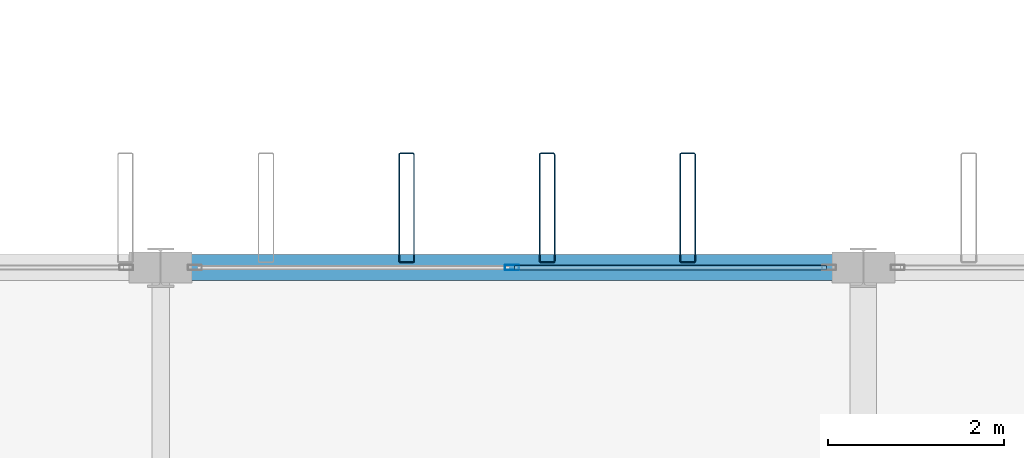
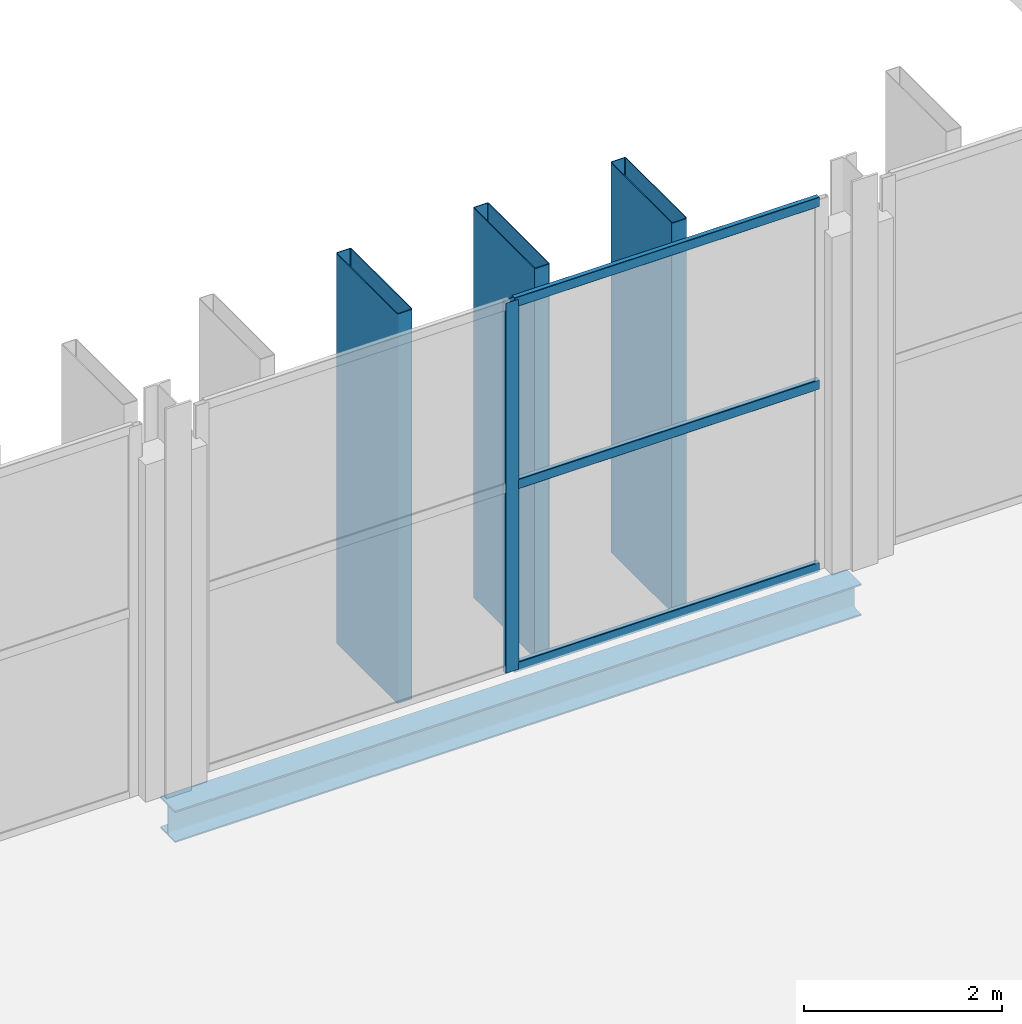
# One storey, part 41 of 120: 7 members, 1 beam, 1 element without a shape of its own.
"""IFC4 building model written with IfcOpenShell, lengths in metres."""

import ifcopenshell
import ifcopenshell.guid

model = None  # the IFC model being written
_history = None  # IfcOwnerHistory: only IFC2X3 demands one
_inside = {}  # id of a spatial element -> (the spatial element, [elements in it])
_under = {}  # id of a project, library or spatial element -> (it, [spatial elements below it])
_declared = {}  # id of a project -> (the project, [libraries it declares])
_typed = {}  # id of a type object -> (the type object, [elements of that type])
_made_of = {}  # id of a material, layer set ... -> (it, [elements and type objects made of it])


def new_model(schema):
    """Start an empty IFC model of exactly this schema.

    Asked for "IFC4X3", IfcOpenShell would pick the latest addendum, in which some entities
    have other attributes; the version numbers below select the first issue.
    IFC2X3 requires an IfcOwnerHistory on every rooted entity: one is made here for all.
    """
    global model, _history
    if schema == "IFC4X3":
        model = ifcopenshell.file(schema_version=(4, 3, 0, 0))
    else:
        model = ifcopenshell.file(schema=schema)
    _inside.clear()
    _under.clear()
    _declared.clear()
    _typed.clear()
    _made_of.clear()
    _history = None
    if model.schema == "IFC2X3":
        org = make("IfcOrganization", Name="unknown")
        user = make(
            "IfcPersonAndOrganization",
            ThePerson=make("IfcPerson", FamilyName="unknown"),
            TheOrganization=org,
        )
        app = make(
            "IfcApplication",
            ApplicationDeveloper=org,
            Version="unknown",
            ApplicationFullName="unknown",
            ApplicationIdentifier="unknown",
        )
        _history = make(
            "IfcOwnerHistory",
            OwningUser=user,
            OwningApplication=app,
            ChangeAction="ADDED",
            CreationDate=0,
        )
    return model


def make(cls, **values):
    """One entity of the class cls with the attributes given. An attribute that is None is left unset."""
    return model.create_entity(
        cls, **{name: value for name, value in values.items() if value is not None}
    )


def rooted(cls, **values):
    """An entity with a GlobalId (a new one), such as an element, a storey or a relation."""
    return make(cls, GlobalId=ifcopenshell.guid.new(), OwnerHistory=_history, **values)


def si_unit(unit_type, name, prefix=None):
    """IfcSIUnit, for example si_unit("LENGTHUNIT", "METRE", prefix="MILLI")."""
    return make("IfcSIUnit", UnitType=unit_type, Prefix=prefix, Name=name)


def assignment(units):
    """IfcUnitAssignment: the units of a project."""
    return None if units is None else make("IfcUnitAssignment", Units=units)


def point(xyz):
    """IfcCartesianPoint."""
    return None if xyz is None else make("IfcCartesianPoint", Coordinates=xyz)


def direction(xyz):
    """IfcDirection."""
    return None if xyz is None else make("IfcDirection", DirectionRatios=xyz)


def frame(location, z_axis=None, x_axis=None):
    """IfcAxis2Placement3D, a coordinate frame: its origin and axes. An axis left out is left unset."""
    return make(
        "IfcAxis2Placement3D",
        Location=point(location),
        Axis=direction(z_axis),
        RefDirection=direction(x_axis),
    )


def frame_2d(location, x_axis=None):
    """IfcAxis2Placement2D, a coordinate frame in the plane: its origin and x axis."""
    return make(
        "IfcAxis2Placement2D", Location=point(location), RefDirection=direction(x_axis)
    )


def origin():
    """The frame at (0, 0, 0) with its axes left unset."""
    return frame((0.0, 0.0, 0.0))


def origin_2d():
    """The frame at (0, 0) in the plane with its x axis left unset."""
    return frame_2d((0.0, 0.0))


def place(relative_to, where):
    """IfcLocalPlacement: puts the frame where relative to a parent placement (None: the world)."""
    return make(
        "IfcLocalPlacement", PlacementRelTo=relative_to, RelativePlacement=where
    )


def context(
    kind, dimensions, precision=None, world=None, true_north=None, identifier=None
):
    """IfcGeometricRepresentationContext, for example the 3D "Model" context."""
    return make(
        "IfcGeometricRepresentationContext",
        ContextIdentifier=identifier,
        ContextType=kind,
        CoordinateSpaceDimension=dimensions,
        Precision=precision,
        WorldCoordinateSystem=world,
        TrueNorth=true_north,
    )


def subcontext(parent, identifier, kind, view, scale=None):
    """IfcGeometricRepresentationSubContext, for example "Body" below "Model"."""
    return make(
        "IfcGeometricRepresentationSubContext",
        ContextIdentifier=identifier,
        ContextType=kind,
        ParentContext=parent,
        TargetScale=scale,
        TargetView=view,
    )


def project(units=None, contexts=None):
    """IfcProject with its units and contexts."""
    return rooted(
        "IfcProject",
        Name="project",
        RepresentationContexts=contexts,
        UnitsInContext=assignment(units),
    )


def spatial(cls, under=None, at=None, **own):
    """A site, building, storey or space (cls), placed at a placement, below another one or the project."""
    s = rooted(cls, ObjectPlacement=at, **own)
    if under is not None:
        _under.setdefault(under.id(), (under, []))[1].append(s)
    return s


def profile(cls, at=None, kind="AREA", **sizes):
    """A parametric profile (cls). Its sizes go by their IFC names, for example OverallWidth=200.0."""
    return make(cls, ProfileType=kind, Position=at, **sizes)


def hollow_rectangle(**sizes):
    """IfcRectangleHollowProfileDef."""
    return profile("IfcRectangleHollowProfileDef", **sizes)


def i_section(**sizes):
    """IfcIShapeProfileDef."""
    return profile("IfcIShapeProfileDef", **sizes)


def extrude(swept, where, along, depth):
    """IfcExtrudedAreaSolid: the profile swept, set in the frame where, extruded along a direction by depth."""
    return make(
        "IfcExtrudedAreaSolid",
        SweptArea=swept,
        Position=where,
        ExtrudedDirection=direction(along),
        Depth=depth,
    )


def shape(context_of_items, identifier, shape_type, items):
    """IfcShapeRepresentation: the items that make up one representation, for example the "Body"."""
    return make(
        "IfcShapeRepresentation",
        ContextOfItems=context_of_items,
        RepresentationIdentifier=identifier,
        RepresentationType=shape_type,
        Items=items,
    )


def material(Name=None, Category=None):
    """IfcMaterial."""
    return make("IfcMaterial", Name=Name, Category=Category)


def layer(
    of_material, thickness, ventilated=None, Name=None, Category=None, Priority=None
):
    """IfcMaterialLayer: one layer of a wall or slab, of a material (None: an air gap)."""
    return make(
        "IfcMaterialLayer",
        Material=of_material,
        LayerThickness=thickness,
        IsVentilated=ventilated,
        Name=Name,
        Category=Category,
        Priority=Priority,
    )


def layer_set(layers, Name=None):
    """IfcMaterialLayerSet."""
    return make("IfcMaterialLayerSet", MaterialLayers=layers, LayerSetName=Name)


def material_profile(
    of_material, cross_section, Name=None, Category=None, Priority=None
):
    """IfcMaterialProfile: a cross section and its material."""
    return make(
        "IfcMaterialProfile",
        Name=Name,
        Material=of_material,
        Profile=cross_section,
        Priority=Priority,
        Category=Category,
    )


def profile_set(profiles, Name=None, composite=None):
    """IfcMaterialProfileSet."""
    return make(
        "IfcMaterialProfileSet",
        Name=Name,
        MaterialProfiles=profiles,
        CompositeProfile=composite,
    )


def made_of(thing, what):
    """Note that an element or type object is made of a material, layer set ...; save() writes the relation."""
    if what is not None:
        _made_of.setdefault(what.id(), (what, []))[1].append(thing)
    return thing


def type_object(cls, material=None, **own):
    """A type object (cls), such as IfcWallType, which elements share."""
    return made_of(rooted(cls, **own), material)


def element(
    cls,
    number,
    at=None,
    inside=None,
    cuts=None,
    type_object=None,
    material=None,
    context=None,
    identifier="Body",
    shape_type=None,
    held_by="IfcProductDefinitionShape",
    body=None,
    shapes=None,
    **own,
):
    """One element of the class cls, such as IfcWall. Its Tag is "e" and its number.

    at: its placement. inside: the storey or other place that contains it. cuts: it is an
    opening in that element (IfcRelVoidsElement). A single representation is given by context,
    identifier, shape_type and body (its items); several are given by shapes. held_by: the class
    of the entity that holds the representations. save() writes the other relations.
    """
    e = rooted(cls, Tag="e%d" % number, ObjectPlacement=at, **own)
    if body is not None:
        shapes = [shape(context, identifier, shape_type, body)]
    if shapes is not None:
        e.Representation = make(held_by, Representations=shapes)
    if inside is not None:
        _inside.setdefault(inside.id(), (inside, []))[1].append(e)
    if cuts is not None:
        rooted(
            "IfcRelVoidsElement", RelatingBuildingElement=cuts, RelatedOpeningElement=e
        )
    if type_object is not None:
        _typed.setdefault(type_object.id(), (type_object, []))[1].append(e)
    return made_of(e, material)


def aggregate(whole, parts):
    """IfcRelAggregates: a whole, such as a stair, and the parts it consists of."""
    return rooted("IfcRelAggregates", RelatingObject=whole, RelatedObjects=parts)


def save(model, path):
    """Write the relations noted so far, then the file.

    IfcRelAggregates (storeys below a building ...), IfcRelContainedInSpatialStructure (elements
    in a storey), IfcRelDefinesByType, IfcRelAssociatesMaterial and IfcRelDeclares: one each for
    every whole, place, type object, material and project.
    """
    for whole, parts in _under.values():
        aggregate(whole, parts)
    for where, things in _inside.values():
        rooted(
            "IfcRelContainedInSpatialStructure",
            RelatedElements=things,
            RelatingStructure=where,
        )
    for kind, things in _typed.values():
        rooted("IfcRelDefinesByType", RelatedObjects=things, RelatingType=kind)
    for what, things in _made_of.values():
        rooted("IfcRelAssociatesMaterial", RelatedObjects=things, RelatingMaterial=what)
    for by, libraries in _declared.values():
        rooted("IfcRelDeclares", RelatingContext=by, RelatedDefinitions=libraries)
    model.write(path)


model = new_model("IFC4")

# Units and contexts
model_context = context("Model", 3, precision=1e-05, world=origin(), true_north=direction((0.0, 1.0)))
body_context = subcontext(model_context, "Body", "Model", "MODEL_VIEW")
ifc_project = project(units=[si_unit("LENGTHUNIT", "METRE"), si_unit("AREAUNIT", "SQUARE_METRE"), si_unit("VOLUMEUNIT", "CUBIC_METRE"), si_unit("PLANEANGLEUNIT", "RADIAN"), si_unit("MASSUNIT", "GRAM", prefix="KILO")], contexts=[model_context])

# Site, building, storey
site_placement = place(None, origin())
site = spatial("IfcSite", under=ifc_project, at=site_placement, CompositionType="ELEMENT")
building_placement = place(site_placement, origin())
building = spatial("IfcBuilding", under=site, at=building_placement, Name="Vekula Escarpment Museum", CompositionType="ELEMENT")
storey_placement = place(building_placement, frame((0.0, 0.0, 13.199951171875)))
storey = spatial("IfcBuildingStorey", under=building, at=storey_placement, Name="L03", CompositionType="ELEMENT", Elevation=13.199951171875)

# Beam
ifc_material_1 = material(Name="Steel S355", Category="steel")
ifc_material_profile_1 = material_profile(ifc_material_1, i_section(OverallWidth=0.300048828125, OverallDepth=0.389892578125, WebThickness=0.010986328125, FlangeThickness=0.01904296875, FilletRadius=0.027099609375, at=origin_2d()), Name="HEA 400")
ifc_profile_set_1 = profile_set([ifc_material_profile_1], Name="Steel S355")
beam_type = type_object("IfcBeamType", Name="BM-SPAN-HEA400", PredefinedType="SPANDREL", material=ifc_profile_set_1)
beam_placement = place(storey_placement, frame((78.0, 90.39990234375, -0.445068359375), z_axis=(1.0, 0.0, 0.0), x_axis=(0.0, 1.0, 0.0)))
element("IfcBeam", 1, at=beam_placement, inside=storey, type_object=beam_type, Name="Beam X L03 1417", PredefinedType="SPANDREL", context=body_context, shape_type="SweptSolid", body=[
    extrude(i_section(OverallWidth=0.300048828125, OverallDepth=0.389892578125, WebThickness=0.010986328125, FlangeThickness=0.01904296875, FilletRadius=0.027099609375, at=origin_2d()), origin(), (0.0, 0.0, 1.0), 8.0),
])

# Curtain wall, members
ifc_material_2 = material(Name="Aluminium thermally broken framing", Category="aluminium")
ifc_layer = layer(ifc_material_2, 0.179931640625)
ifc_layer_set = layer_set([ifc_layer], Name="Aluminium thermally broken framing")
curtain_wall_type = type_object("IfcCurtainWallType", Name="CW-SYS-08", PredefinedType="NOTDEFINED", material=ifc_layer_set)
curtain_wall_placement = place(storey_placement, origin())
curtain_wall = element("IfcCurtainWall", 2, at=curtain_wall_placement, inside=storey, type_object=curtain_wall_type, Name="Curtain Wall CW-L03-128", PredefinedType="NOTDEFINED")
ifc_material_3 = material(Name="Aluminium anodized mullion", Category="aluminium")
ifc_material_profile_2 = material_profile(ifc_material_3, hollow_rectangle(XDim=0.06005859375, YDim=0.159912109375, WallThickness=0.00390625, InnerFilletRadius=0.00390625, OuterFilletRadius=0.008056640625, at=origin_2d()), Name="ALU 160x60x4")
ifc_profile_set_2 = profile_set([ifc_material_profile_2], Name="Aluminium anodized mullion")
member_type_1 = type_object("IfcMemberType", Name="CW-MUL-160", PredefinedType="MULLION", material=ifc_profile_set_2)
member_1_placement = place(storey_placement, frame((82.0, 90.39990234375, 0.0), z_axis=(0.0, 0.0, 1.0), x_axis=(0.0, -1.0, 0.0)))
member_1 = element("IfcMember", 3, at=member_1_placement, type_object=member_type_1, Name="CW-08 mullion 2", PredefinedType="MULLION", context=body_context, shape_type="SweptSolid", body=[
    extrude(hollow_rectangle(XDim=0.06005859375, YDim=0.159912109375, WallThickness=0.00390625, InnerFilletRadius=0.00390625, OuterFilletRadius=0.008056640625, at=origin_2d()), origin(), (0.0, 0.0, 1.0), 4.56005859375),
])
ifc_material_4 = material(Name="Aluminium anodized transom", Category="aluminium")
ifc_material_profile_3 = material_profile(ifc_material_4, hollow_rectangle(XDim=0.06005859375, YDim=0.1201171875, WallThickness=0.00390625, InnerFilletRadius=0.00390625, OuterFilletRadius=0.008056640625, at=origin_2d()), Name="ALU 120x60x4")
ifc_profile_set_3 = profile_set([ifc_material_profile_3], Name="Aluminium anodized transom")
member_type_2 = type_object("IfcMemberType", Name="CW-TRN-120", PredefinedType="USERDEFINED", material=ifc_profile_set_3)
member_2_placement = place(storey_placement, frame((85.580078125, 90.39990234375, 0.030029296875), z_axis=(-1.0, 0.0, 0.0), x_axis=(0.0, -1.0, 0.0)))
member_2 = element("IfcMember", 4, at=member_2_placement, type_object=member_type_2, Name="CW-08 transom 1.1", ObjectType="TRANSOM", PredefinedType="USERDEFINED", context=body_context, shape_type="SweptSolid", body=[
    extrude(hollow_rectangle(XDim=0.06005859375, YDim=0.1201171875, WallThickness=0.00390625, InnerFilletRadius=0.00390625, OuterFilletRadius=0.008056640625, at=origin_2d()), origin(), (0.0, 0.0, 1.0), 3.550048828125),
])
member_3_placement = place(storey_placement, frame((85.580078125, 90.39990234375, 2.280029296875), z_axis=(-1.0, 0.0, 0.0), x_axis=(0.0, -1.0, 0.0)))
member_3 = element("IfcMember", 5, at=member_3_placement, type_object=member_type_2, Name="CW-08 transom 1.2", ObjectType="TRANSOM", PredefinedType="USERDEFINED", context=body_context, shape_type="SweptSolid", body=[
    extrude(hollow_rectangle(XDim=0.06005859375, YDim=0.1201171875, WallThickness=0.00390625, InnerFilletRadius=0.00390625, OuterFilletRadius=0.008056640625, at=origin_2d()), origin(), (0.0, 0.0, 1.0), 3.550048828125),
])
member_4_placement = place(storey_placement, frame((85.580078125, 90.39990234375, 4.530029296875), z_axis=(-1.0, 0.0, 0.0), x_axis=(0.0, -1.0, 0.0)))
member_4 = element("IfcMember", 6, at=member_4_placement, type_object=member_type_2, Name="CW-08 transom 1.3", ObjectType="TRANSOM", PredefinedType="USERDEFINED", context=body_context, shape_type="SweptSolid", body=[
    extrude(hollow_rectangle(XDim=0.06005859375, YDim=0.1201171875, WallThickness=0.00390625, InnerFilletRadius=0.00390625, OuterFilletRadius=0.008056640625, at=origin_2d()), origin(), (0.0, 0.0, 1.0), 3.550048828125),
])
aggregate(curtain_wall, [member_1, member_2, member_3, member_4])

# Members
ifc_material_5 = material(Name="Steel S355 weathered bronze solar fin", Category="steel")
ifc_material_profile_4 = material_profile(ifc_material_5, hollow_rectangle(XDim=0.179931640625, YDim=1.25, WallThickness=0.010009765625, InnerFilletRadius=0.010009765625, OuterFilletRadius=0.02001953125, at=origin_2d()), Name="RHS 1250x180x10")
ifc_profile_set_4 = profile_set([ifc_material_profile_4], Name="Steel S355 weathered bronze solar fin")
member_type_3 = type_object("IfcMemberType", Name="MB-SOLAR-FIN", PredefinedType="USERDEFINED", material=ifc_profile_set_4)
for number, where, z_axis, x_axis, name in (
    (7, (80.800048828125, 91.080078125, 0.0), (0.0, 0.0, 1.0), (1.0, 0.0, 0.0), "Great Hall Vertical Solar Fin 0163"),
    (8, (82.39990234375, 91.080078125, 0.0), (0.0, 0.0, 1.0), (1.0, 0.0, 0.0), "Great Hall Vertical Solar Fin 0168"),
    (9, (84.0, 91.080078125, 0.0), (0.0, 0.0, 1.0), (1.0, 0.0, 0.0), "Great Hall Vertical Solar Fin 0173"),
):
    element("IfcMember", number, at=place(storey_placement, frame(where, z_axis=z_axis, x_axis=x_axis)), inside=storey, type_object=member_type_3, Name=name, ObjectType="SOLAR FIN", PredefinedType="USERDEFINED", context=body_context, shape_type="SweptSolid", body=[
        extrude(hollow_rectangle(XDim=0.179931640625, YDim=1.25, WallThickness=0.010009765625, InnerFilletRadius=0.010009765625, OuterFilletRadius=0.02001953125, at=origin_2d()), origin(), (0.0, 0.0, 1.0), 4.800048828125),
    ])

save(model, "model.ifc")
